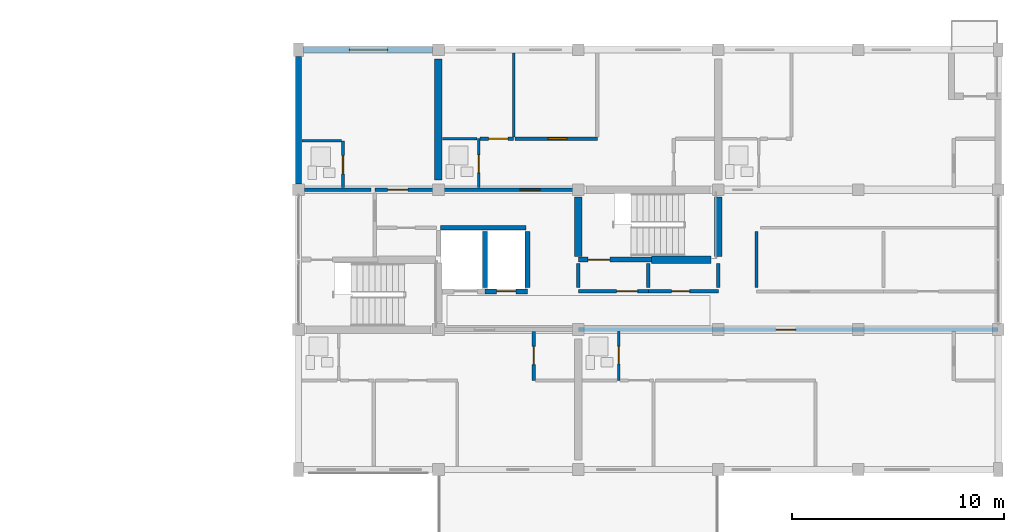
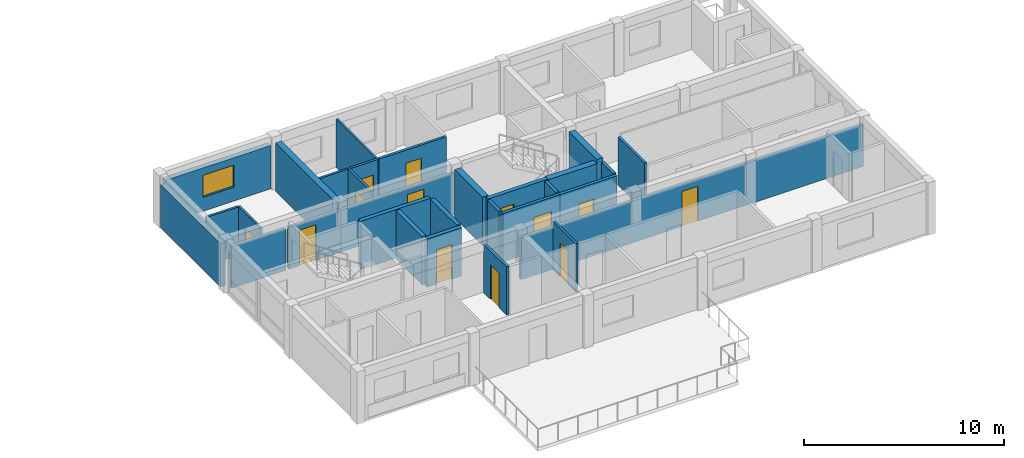
# One storey, part 38 of 51: 30 walls, 13 doors, 1 window, 14 openings.
"""IFC4 building model written with IfcOpenShell, lengths in metres."""

from ifc_helpers import new_model, si_unit, direction, frame, frame_2d, origin, place, context, subcontext, project, spatial, rectangle, extrude, material, layer, layer_set, type_object, element, fill, save


model = new_model("IFC4")

# Units and contexts
model_context = context("Model", 3, precision=1e-05, world=origin(), true_north=direction((0.0, 1.0)))
body_context = subcontext(model_context, "Body", "Model", "MODEL_VIEW")
ifc_project = project(units=[si_unit("LENGTHUNIT", "METRE"), si_unit("AREAUNIT", "SQUARE_METRE"), si_unit("VOLUMEUNIT", "CUBIC_METRE"), si_unit("PLANEANGLEUNIT", "RADIAN"), si_unit("MASSUNIT", "GRAM", prefix="KILO")], contexts=[model_context])

# Site, building, storey
site_placement = place(None, origin())
site = spatial("IfcSite", under=ifc_project, at=site_placement, CompositionType="ELEMENT")
building_placement = place(site_placement, origin())
building = spatial("IfcBuilding", under=site, at=building_placement, Name="Kernevlak Ridge Housing Community", CompositionType="ELEMENT")
storey_placement = place(building_placement, frame((0.0, 0.0, 8.39990234375)))
storey = spatial("IfcBuildingStorey", under=building, at=storey_placement, Name="L02", CompositionType="ELEMENT", Elevation=8.39990234375)

# Wall, opening, window
ifc_material_1 = material(Name="Concrete block masonry M10", Category="masonry")
ifc_layer_1 = layer(ifc_material_1, 0.300048828125, Name="Concrete block masonry M10")
ifc_layer_set_1 = layer_set([ifc_layer_1], Name="Concrete block masonry M10")
wall_type_1 = type_object("IfcWallType", Name="EW-01", PredefinedType="STANDARD", material=ifc_layer_set_1)
wall_1_placement = place(storey_placement, frame((119.625, 102.39990234375, 0.0), z_axis=(0.0, 0.0, 1.0), x_axis=(1.0, 0.0, 0.0)))
wall_1 = element("IfcWall", 1, at=wall_1_placement, inside=storey, type_object=wall_type_1, Name="Exterior wall EW-01 L02 328", PredefinedType="STANDARD", context=body_context, shape_type="SweptSolid", body=[
    extrude(rectangle(XDim=6.10009765625, YDim=0.300048828125, at=frame_2d((3.050048828125, 0.0))), origin(), (0.0, 0.0, 1.0), 2.650146484375),
])
opening_1_placement = place(wall_1_placement, frame((2.175048828125, 0.0, 0.85009765625)))
opening_1 = element("IfcOpeningElement", 2, at=opening_1_placement, cuts=wall_1, Name="Opening WT-03", PredefinedType="OPENING", context=body_context, shape_type="SweptSolid", body=[
    extrude(rectangle(XDim=1.800048828125, YDim=1.35009765625, at=frame_2d((0.89990234375, 0.675048828125))), frame((0.0, 0.159912109375, 0.0), z_axis=(0.0, -1.0, 0.0), x_axis=(1.0, 0.0, 0.0)), (0.0, 0.0, 1.0), 0.320068359375),
])
ifc_material_2 = material(Name="Aluminium EN AW-6060 anodised and laminated glass", Category="aluminium")
window_type = type_object("IfcWindowType", Name="WT-03", PartitioningType="SINGLE_PANEL", PredefinedType="WINDOW", material=ifc_material_2)
window_placement = place(opening_1_placement, origin())
window = element("IfcWindow", 3, at=window_placement, inside=storey, type_object=window_type, Name="Window WT-03 L02 253", OverallHeight=1.35009765625, OverallWidth=1.800048828125, PartitioningType="SINGLE_PANEL", PredefinedType="WINDOW", context=body_context, shape_type="SweptSolid", body=[
    extrude(rectangle(XDim=1.800048828125, YDim=1.35009765625, at=frame_2d((0.89990234375, 0.675048828125))), frame((0.0, 0.030029296875, 0.0), z_axis=(0.0, -1.0, 0.0), x_axis=(1.0, 0.0, 0.0)), (0.0, 0.0, 1.0), 0.06005859375),
])
fill(opening_1, window)

# Wall
wall_2_placement = place(storey_placement, frame((119.39990234375, 96.074951171875, 0.0), z_axis=(0.0, 0.0, 1.0), x_axis=(0.0, 1.0, 0.0)))
element("IfcWall", 4, at=wall_2_placement, inside=storey, type_object=wall_type_1, Name="Exterior wall EW-01 L02 336", PredefinedType="STANDARD", context=body_context, shape_type="SweptSolid", body=[
    extrude(rectangle(XDim=6.0, YDim=0.300048828125, at=frame_2d((3.0, 0.0))), origin(), (0.0, 0.0, 1.0), 2.650146484375),
])

# Wall, opening, door
ifc_material_3 = material(Name="Concrete C35/45", Category="concrete")
ifc_layer_2 = layer(ifc_material_3, 0.22509765625, Name="Concrete C35/45")
ifc_layer_set_2 = layer_set([ifc_layer_2], Name="Concrete C35/45")
wall_type_2 = type_object("IfcWallType", Name="PW-01", PredefinedType="STANDARD", material=ifc_layer_set_2)
wall_3_placement = place(storey_placement, frame((128.199951171875, 91.0, 0.0), z_axis=(0.0, 0.0, 1.0), x_axis=(1.0, 0.0, 0.0)))
wall_3 = element("IfcWall", 5, at=wall_3_placement, inside=storey, type_object=wall_type_2, Name="Interior wall PW-01 WAL-INT-L02-1272", PredefinedType="STANDARD", context=body_context, shape_type="SweptSolid", body=[
    extrude(rectangle(XDim=2.0, YDim=0.22509765625, at=frame_2d((1.0, 0.0))), origin(), (0.0, 0.0, 1.0), 2.960205078125),
])
opening_2_placement = place(wall_3_placement, frame((0.550048828125, 0.0, 0.0)))
opening_2 = element("IfcOpeningElement", 6, at=opening_2_placement, cuts=wall_3, Name="Opening LD35", PredefinedType="OPENING", context=body_context, shape_type="SweptSolid", body=[
    extrude(rectangle(XDim=0.89990234375, YDim=2.10009765625, at=frame_2d((0.449951171875, 1.050048828125))), frame((0.0, 0.12255859375, 0.0), z_axis=(0.0, -1.0, 0.0), x_axis=(1.0, 0.0, 0.0)), (0.0, 0.0, 1.0), 0.2451171875),
])
ifc_material_4 = material(Name="Stainless steel EN 1.4401", Category="steel")
door_type_1 = type_object("IfcDoorType", Name="DT-LD2", OperationType="DOUBLE_DOOR_SLIDING", PredefinedType="DOOR", material=ifc_material_4)
door_1_placement = place(opening_2_placement, origin())
door_1 = element("IfcDoor", 7, at=door_1_placement, inside=storey, type_object=door_type_1, Name="Lift LF-B2 landing door LD35", OperationType="DOUBLE_DOOR_SLIDING", OverallHeight=2.10009765625, OverallWidth=0.89990234375, PredefinedType="DOOR", context=body_context, shape_type="SweptSolid", body=[
    extrude(rectangle(XDim=0.89990234375, YDim=2.10009765625, at=frame_2d((0.449951171875, 1.050048828125))), frame((0.0, 0.02490234375, 0.0), z_axis=(0.0, -1.0, 0.0), x_axis=(1.0, 0.0, 0.0)), (0.0, 0.0, 1.0), 0.050048828125),
])
fill(opening_2, door_1)

# Walls
wall_4_placement = place(storey_placement, frame((126.097412109375, 94.0, 0.0), z_axis=(0.0, 0.0, 1.0), x_axis=(1.0, 0.0, 0.0)))
element("IfcWall", 8, at=wall_4_placement, inside=storey, type_object=wall_type_2, Name="Interior wall PW-01 WAL-INT-L02-1273", PredefinedType="STANDARD", context=body_context, shape_type="SweptSolid", body=[
    extrude(rectangle(XDim=4.022705078125, YDim=0.22509765625, at=frame_2d((2.01123046875, 0.0))), origin(), (0.0, 0.0, 1.0), 2.960205078125),
])
for number, where, z_axis, x_axis, name in (
    (9, (128.199951171875, 91.179931640625, 0.0), (0.0, 0.0, 1.0), (0.0, 1.0, 0.0), "Interior wall PW-01 WAL-INT-L02-1275"),
    (10, (130.199951171875, 91.179931640625, 0.0), (0.0, 0.0, 1.0), (0.0, 1.0, 0.0), "Interior wall PW-01 WAL-INT-L02-1276"),
):
    element("IfcWall", number, at=place(storey_placement, frame(where, z_axis=z_axis, x_axis=x_axis)), inside=storey, type_object=wall_type_2, Name=name, PredefinedType="STANDARD", context=body_context, shape_type="SweptSolid", body=[
        extrude(rectangle(XDim=2.64013671875, YDim=0.22509765625, at=frame_2d((1.320068359375, 0.0))), origin(), (0.0, 0.0, 1.0), 2.960205078125),
    ])

# Wall, opening, door
wall_5_placement = place(storey_placement, frame((132.60009765625, 92.5, 0.0), z_axis=(0.0, 0.0, 1.0), x_axis=(1.0, 0.0, 0.0)))
wall_5 = element("IfcWall", 11, at=wall_5_placement, inside=storey, type_object=wall_type_2, Name="Interior wall PW-01 WAL-INT-L02-1277", PredefinedType="STANDARD", context=body_context, shape_type="SweptSolid", body=[
    extrude(rectangle(XDim=3.449951171875, YDim=0.22509765625, at=frame_2d((1.72509765625, 0.0))), origin(), (0.0, 0.0, 1.0), 2.960205078125),
])
opening_3_placement = place(wall_5_placement, frame((0.449951171875, 0.0, 0.0)))
opening_3 = element("IfcOpeningElement", 12, at=opening_3_placement, cuts=wall_5, Name="Opening D644", PredefinedType="OPENING", context=body_context, shape_type="SweptSolid", body=[
    extrude(rectangle(XDim=1.0400390625, YDim=2.1201171875, at=frame_2d((0.52001953125, 1.06005859375))), frame((0.0, 0.12255859375, 0.0), z_axis=(0.0, -1.0, 0.0), x_axis=(1.0, 0.0, 0.0)), (0.0, 0.0, 1.0), 0.2451171875),
])
ifc_material_5 = material(Name="Fire-rated sheet steel leaf", Category="steel")
door_type_2 = type_object("IfcDoorType", Name="DT-16", OperationType="NOTDEFINED", PredefinedType="DOOR", material=ifc_material_5)
door_2_placement = place(opening_3_placement, origin())
door_2 = element("IfcDoor", 13, at=door_2_placement, inside=storey, type_object=door_type_2, Name="Block B Stair 2 fire door D644", OperationType="SINGLE_SWING_RIGHT", OverallHeight=2.1201171875, OverallWidth=1.0400390625, PredefinedType="DOOR", context=body_context, shape_type="SweptSolid", body=[
    extrude(rectangle(XDim=1.0400390625, YDim=2.1201171875, at=frame_2d((0.52001953125, 1.06005859375))), frame((0.0, 0.02490234375, 0.0), z_axis=(0.0, -1.0, 0.0), x_axis=(1.0, 0.0, 0.0)), (0.0, 0.0, 1.0), 0.050048828125),
])
fill(opening_3, door_2)

ifc_layer_3 = layer(ifc_material_1, 0.175048828125, Name="Concrete block masonry M10")
ifc_layer_set_3 = layer_set([ifc_layer_3], Name="Concrete block masonry M10")
wall_type_3 = type_object("IfcWallType", Name="PW-02", PredefinedType="PARTITIONING", material=ifc_layer_set_3)
wall_6_placement = place(storey_placement, frame((132.60009765625, 91.0, 0.0), z_axis=(0.0, 0.0, 1.0), x_axis=(1.0, 0.0, 0.0)))
wall_6 = element("IfcWall", 14, at=wall_6_placement, inside=storey, type_object=wall_type_3, Name="Interior wall PW-02 WAL-INT-L02-1278", PredefinedType="PARTITIONING", context=body_context, shape_type="SweptSolid", body=[
    extrude(rectangle(XDim=3.2998046875, YDim=0.175048828125, at=frame_2d((1.64990234375, 0.0))), origin(), (0.0, 0.0, 1.0), 2.960205078125),
])
opening_4_placement = place(wall_6_placement, frame((1.800048828125, 0.0, 0.0)))
opening_4 = element("IfcOpeningElement", 15, at=opening_4_placement, cuts=wall_6, Name="Opening D645", PredefinedType="OPENING", context=body_context, shape_type="SweptSolid", body=[
    extrude(rectangle(XDim=1.0, YDim=2.10009765625, at=frame_2d((0.5, 1.050048828125))), frame((0.0, 0.097412109375, 0.0), z_axis=(0.0, -1.0, 0.0), x_axis=(1.0, 0.0, 0.0)), (0.0, 0.0, 1.0), 0.195068359375),
])
door_type_3 = type_object("IfcDoorType", Name="DT-05", OperationType="NOTDEFINED", PredefinedType="DOOR", material=ifc_material_5)
door_3_placement = place(opening_4_placement, origin())
door_3 = element("IfcDoor", 16, at=door_3_placement, inside=storey, type_object=door_type_3, Name="Block B Firefighting lobby 2 door D645", OperationType="SINGLE_SWING_LEFT", OverallHeight=2.10009765625, OverallWidth=1.0, PredefinedType="DOOR", context=body_context, shape_type="SweptSolid", body=[
    extrude(rectangle(XDim=1.0, YDim=2.10009765625, at=frame_2d((0.5, 1.050048828125))), frame((0.0, 0.02490234375, 0.0), z_axis=(0.0, -1.0, 0.0), x_axis=(1.0, 0.0, 0.0)), (0.0, 0.0, 1.0), 0.050048828125),
])
fill(opening_4, door_3)

wall_7_placement = place(storey_placement, frame((135.89990234375, 91.0, 0.0), z_axis=(0.0, 0.0, 1.0), x_axis=(1.0, 0.0, 0.0)))
wall_7 = element("IfcWall", 17, at=wall_7_placement, inside=storey, type_object=wall_type_3, Name="Interior wall PW-02 WAL-INT-L02-1279", PredefinedType="PARTITIONING", context=body_context, shape_type="SweptSolid", body=[
    extrude(rectangle(XDim=3.300048828125, YDim=0.175048828125, at=frame_2d((1.64990234375, 0.0))), origin(), (0.0, 0.0, 1.0), 2.960205078125),
])
opening_5_placement = place(wall_7_placement, frame((1.10009765625, 0.0, 0.0)))
opening_5 = element("IfcOpeningElement", 18, at=opening_5_placement, cuts=wall_7, Name="Opening D646", PredefinedType="OPENING", context=body_context, shape_type="SweptSolid", body=[
    extrude(rectangle(XDim=0.85009765625, YDim=2.0, at=frame_2d((0.425048828125, 1.0))), frame((0.0, 0.097412109375, 0.0), z_axis=(0.0, -1.0, 0.0), x_axis=(1.0, 0.0, 0.0)), (0.0, 0.0, 1.0), 0.195068359375),
])
door_type_4 = type_object("IfcDoorType", Name="DT-07", OperationType="NOTDEFINED", PredefinedType="DOOR", material=ifc_material_5)
door_4_placement = place(opening_5_placement, origin())
door_4 = element("IfcDoor", 19, at=door_4_placement, inside=storey, type_object=door_type_4, Name="Block B Cleaner store door D646", OperationType="SINGLE_SWING_RIGHT", OverallHeight=2.0, OverallWidth=0.85009765625, PredefinedType="DOOR", context=body_context, shape_type="SweptSolid", body=[
    extrude(rectangle(XDim=0.85009765625, YDim=2.0, at=frame_2d((0.425048828125, 1.0))), frame((0.0, 0.02490234375, 0.0), z_axis=(0.0, -1.0, 0.0), x_axis=(1.0, 0.0, 0.0)), (0.0, 0.0, 1.0), 0.050048828125),
])
fill(opening_5, door_4)

# Walls
for number, where, z_axis, x_axis, name in (
    (20, (132.60009765625, 91.179931640625, 0.0), (0.0, 0.0, 1.0), (0.0, 1.0, 0.0), "Interior wall PW-02 WAL-INT-L02-1280"),
    (21, (135.89990234375, 91.179931640625, 0.0), (0.0, 0.0, 1.0), (0.0, 1.0, 0.0), "Interior wall PW-02 WAL-INT-L02-1281"),
    (22, (139.199951171875, 91.179931640625, 0.0), (0.0, 0.0, 1.0), (0.0, 1.0, 0.0), "Interior wall PW-02 WAL-INT-L02-1282"),
):
    element("IfcWall", number, at=place(storey_placement, frame(where, z_axis=z_axis, x_axis=x_axis)), inside=storey, type_object=wall_type_3, Name=name, PredefinedType="PARTITIONING", context=body_context, shape_type="SweptSolid", body=[
        extrude(rectangle(XDim=1.14013671875, YDim=0.175048828125, at=frame_2d((0.570068359375, 0.0))), origin(), (0.0, 0.0, 1.0), 2.960205078125),
    ])

# Wall, opening, door
wall_8_placement = place(storey_placement, frame((132.60009765625, 89.199951171875, 0.0), z_axis=(0.0, 0.0, 1.0), x_axis=(1.0, 0.0, 0.0)))
wall_8 = element("IfcWall", 23, at=wall_8_placement, inside=storey, type_object=wall_type_3, Name="Interior wall PW-02 WAL-INT-L02-1297", PredefinedType="PARTITIONING", context=body_context, shape_type="SweptSolid", body=[
    extrude(rectangle(XDim=19.7998046875, YDim=0.175048828125, at=frame_2d((9.89990234375, 0.0))), origin(), (0.0, 0.0, 1.0), 2.550048828125),
])
opening_6_placement = place(wall_8_placement, frame((9.324951171875, 0.0, 0.0)))
opening_6 = element("IfcOpeningElement", 24, at=opening_6_placement, cuts=wall_8, Name="Opening D655", PredefinedType="OPENING", context=body_context, shape_type="SweptSolid", body=[
    extrude(rectangle(XDim=0.919921875, YDim=2.139892578125, at=frame_2d((0.4599609375, 1.06982421875))), frame((0.0, 0.097412109375, 0.0), z_axis=(0.0, -1.0, 0.0), x_axis=(1.0, 0.0, 0.0)), (0.0, 0.0, 1.0), 0.195068359375),
])
ifc_material_6 = material(Name="Hardwood timber solid-core fire leaf", Category="wood")
door_type_5 = type_object("IfcDoorType", Name="DT-20", OperationType="NOTDEFINED", PredefinedType="DOOR", material=ifc_material_6)
door_5_placement = place(opening_6_placement, origin())
door_5 = element("IfcDoor", 25, at=door_5_placement, inside=storey, type_object=door_type_5, Name="Flat B0212 entrance fire door D655", OperationType="SINGLE_SWING_LEFT", OverallHeight=2.139892578125, OverallWidth=0.919921875, PredefinedType="DOOR", context=body_context, shape_type="SweptSolid", body=[
    extrude(rectangle(XDim=0.919921875, YDim=2.139892578125, at=frame_2d((0.4599609375, 1.06982421875))), frame((0.0, 0.02490234375, 0.0), z_axis=(0.0, -1.0, 0.0), x_axis=(1.0, 0.0, 0.0)), (0.0, 0.0, 1.0), 0.050048828125),
])
fill(opening_6, door_5)

# Wall
wall_9_placement = place(storey_placement, frame((119.679931640625, 95.800048828125, 0.0), z_axis=(0.0, 0.0, 1.0), x_axis=(1.0, 0.0, 0.0)))
element("IfcWall", 26, at=wall_9_placement, inside=storey, type_object=wall_type_3, Name="Interior wall PW-02 WAL-INT-L02-1306", PredefinedType="PARTITIONING", context=body_context, shape_type="SweptSolid", body=[
    extrude(rectangle(XDim=3.14013671875, YDim=0.175048828125, at=frame_2d((1.570068359375, 0.0))), origin(), (0.0, 0.0, 1.0), 2.550048828125),
])

# Wall, opening, door
wall_10_placement = place(storey_placement, frame((123.0, 95.800048828125, 0.0), z_axis=(0.0, 0.0, 1.0), x_axis=(1.0, 0.0, 0.0)))
wall_10 = element("IfcWall", 27, at=wall_10_placement, inside=storey, type_object=wall_type_3, Name="Interior wall PW-02 WAL-INT-L02-1307", PredefinedType="PARTITIONING", context=body_context, shape_type="SweptSolid", body=[
    extrude(rectangle(XDim=3.0, YDim=0.175048828125, at=frame_2d((1.5, 0.0))), origin(), (0.0, 0.0, 1.0), 2.550048828125),
])
opening_7_placement = place(wall_10_placement, frame((0.60009765625, 0.0, 0.0)))
opening_7 = element("IfcOpeningElement", 28, at=opening_7_placement, cuts=wall_10, Name="Opening D660", PredefinedType="OPENING", context=body_context, shape_type="SweptSolid", body=[
    extrude(rectangle(XDim=0.9599609375, YDim=2.179931640625, at=frame_2d((0.47998046875, 1.08984375))), frame((0.0, 0.097412109375, 0.0), z_axis=(0.0, -1.0, 0.0), x_axis=(1.0, 0.0, 0.0)), (0.0, 0.0, 1.0), 0.195068359375),
])
door_type_6 = type_object("IfcDoorType", Name="DT-29", OperationType="NOTDEFINED", PredefinedType="DOOR", material=ifc_material_6)
door_6_placement = place(opening_7_placement, origin())
door_6 = element("IfcDoor", 29, at=door_6_placement, inside=storey, type_object=door_type_6, Name="Flat B0221 entrance fire door D660", OperationType="SINGLE_SWING_RIGHT", OverallHeight=2.179931640625, OverallWidth=0.9599609375, PredefinedType="DOOR", context=body_context, shape_type="SweptSolid", body=[
    extrude(rectangle(XDim=0.9599609375, YDim=2.179931640625, at=frame_2d((0.47998046875, 1.08984375))), frame((0.0, 0.02490234375, 0.0), z_axis=(0.0, -1.0, 0.0), x_axis=(1.0, 0.0, 0.0)), (0.0, 0.0, 1.0), 0.050048828125),
])
fill(opening_7, door_6)

wall_11_placement = place(storey_placement, frame((126.0, 95.800048828125, 0.0), z_axis=(0.0, 0.0, 1.0), x_axis=(1.0, 0.0, 0.0)))
wall_11 = element("IfcWall", 30, at=wall_11_placement, inside=storey, type_object=wall_type_3, Name="Interior wall PW-02 WAL-INT-L02-1310", PredefinedType="PARTITIONING", context=body_context, shape_type="SweptSolid", body=[
    extrude(rectangle(XDim=6.60009765625, YDim=0.175048828125, at=frame_2d((3.300048828125, 0.0))), origin(), (0.0, 0.0, 1.0), 2.550048828125),
])
opening_8_placement = place(wall_11_placement, frame((3.85009765625, 0.0, 0.0)))
opening_8 = element("IfcOpeningElement", 31, at=opening_8_placement, cuts=wall_11, Name="Opening D662", PredefinedType="OPENING", context=body_context, shape_type="SweptSolid", body=[
    extrude(rectangle(XDim=0.949951171875, YDim=2.159912109375, at=frame_2d((0.47509765625, 1.080078125))), frame((0.0, 0.097412109375, 0.0), z_axis=(0.0, -1.0, 0.0), x_axis=(1.0, 0.0, 0.0)), (0.0, 0.0, 1.0), 0.195068359375),
])
door_type_7 = type_object("IfcDoorType", Name="DT-02", OperationType="NOTDEFINED", PredefinedType="DOOR", material=ifc_material_6)
door_7_placement = place(opening_8_placement, origin())
door_7 = element("IfcDoor", 32, at=door_7_placement, inside=storey, type_object=door_type_7, Name="Flat B0222 entrance fire door D662", OperationType="SINGLE_SWING_RIGHT", OverallHeight=2.159912109375, OverallWidth=0.949951171875, PredefinedType="DOOR", context=body_context, shape_type="SweptSolid", body=[
    extrude(rectangle(XDim=0.949951171875, YDim=2.159912109375, at=frame_2d((0.47509765625, 1.080078125))), frame((0.0, 0.02490234375, 0.0), z_axis=(0.0, -1.0, 0.0), x_axis=(1.0, 0.0, 0.0)), (0.0, 0.0, 1.0), 0.050048828125),
])
fill(opening_8, door_7)

# Wall
ifc_layer_4 = layer(ifc_material_1, 0.14501953125, Name="Concrete block masonry M10")
ifc_layer_set_4 = layer_set([ifc_layer_4], Name="Concrete block masonry M10")
wall_type_4 = type_object("IfcWallType", Name="PW-03", PredefinedType="PARTITIONING", material=ifc_layer_set_4)
wall_12_placement = place(storey_placement, frame((141.0, 91.179931640625, 0.0), z_axis=(0.0, 0.0, 1.0), x_axis=(0.0, 1.0, 0.0)))
element("IfcWall", 33, at=wall_12_placement, inside=storey, type_object=wall_type_4, Name="Interior wall PW-03 WAL-INT-L02-1287", PredefinedType="PARTITIONING", context=body_context, shape_type="SweptSolid", body=[
    extrude(rectangle(XDim=2.64013671875, YDim=0.14501953125, at=frame_2d((1.320068359375, 0.0))), origin(), (0.0, 0.0, 1.0), 2.960205078125),
])

# Wall, opening, door
wall_13_placement = place(storey_placement, frame((127.972412109375, 98.199951171875, 0.0), z_axis=(0.0, 0.0, 1.0), x_axis=(1.0, 0.0, 0.0)))
wall_13 = element("IfcWall", 34, at=wall_13_placement, inside=storey, type_object=wall_type_4, Name="Interior wall PW-03 WAL-INT-L02-1315", PredefinedType="PARTITIONING", context=body_context, shape_type="SweptSolid", body=[
    extrude(rectangle(XDim=1.57763671875, YDim=0.14501953125, at=frame_2d((0.788818359375, 0.0))), origin(), (0.0, 0.0, 1.0), 2.960205078125),
])
opening_9_placement = place(wall_13_placement, frame((0.39990234375, 0.0, 0.0)))
opening_9 = element("IfcOpeningElement", 35, at=opening_9_placement, cuts=wall_13, Name="Opening D665", PredefinedType="OPENING", context=body_context, shape_type="SweptSolid", body=[
    extrude(rectangle(XDim=0.89990234375, YDim=2.10009765625, at=frame_2d((0.449951171875, 1.050048828125))), frame((0.0, 0.08251953125, 0.0), z_axis=(0.0, -1.0, 0.0), x_axis=(1.0, 0.0, 0.0)), (0.0, 0.0, 1.0), 0.1650390625),
])
ifc_material_7 = material(Name="Hardwood timber leaf", Category="wood")
door_type_8 = type_object("IfcDoorType", Name="DT-21", OperationType="NOTDEFINED", PredefinedType="DOOR", material=ifc_material_7)
door_8_placement = place(opening_9_placement, origin())
door_8 = element("IfcDoor", 36, at=door_8_placement, inside=storey, type_object=door_type_8, Name="Flat B0222 bedroom door D665", OperationType="SINGLE_SWING_LEFT", OverallHeight=2.10009765625, OverallWidth=0.89990234375, PredefinedType="DOOR", context=body_context, shape_type="SweptSolid", body=[
    extrude(rectangle(XDim=0.89990234375, YDim=2.10009765625, at=frame_2d((0.449951171875, 1.050048828125))), frame((0.0, 0.02490234375, 0.0), z_axis=(0.0, -1.0, 0.0), x_axis=(1.0, 0.0, 0.0)), (0.0, 0.0, 1.0), 0.050048828125),
])
fill(opening_9, door_8)

wall_14_placement = place(storey_placement, frame((129.612548828125, 98.199951171875, 0.0), z_axis=(0.0, 0.0, 1.0), x_axis=(1.0, 0.0, 0.0)))
wall_14 = element("IfcWall", 37, at=wall_14_placement, inside=storey, type_object=wall_type_4, Name="Interior wall PW-03 WAL-INT-L02-1317", PredefinedType="PARTITIONING", context=body_context, shape_type="SweptSolid", body=[
    extrude(rectangle(XDim=3.87939453125, YDim=0.14501953125, at=frame_2d((1.939697265625, 0.0))), origin(), (0.0, 0.0, 1.0), 2.960205078125),
])
opening_10_placement = place(wall_14_placement, frame((1.5458984375, 0.0, 0.0)))
opening_10 = element("IfcOpeningElement", 38, at=opening_10_placement, cuts=wall_14, Name="Opening D666", PredefinedType="OPENING", context=body_context, shape_type="SweptSolid", body=[
    extrude(rectangle(XDim=0.89990234375, YDim=2.159912109375, at=frame_2d((0.449951171875, 1.080078125))), frame((0.0, 0.08251953125, 0.0), z_axis=(0.0, -1.0, 0.0), x_axis=(1.0, 0.0, 0.0)), (0.0, 0.0, 1.0), 0.1650390625),
])
door_type_9 = type_object("IfcDoorType", Name="DT-22", OperationType="NOTDEFINED", PredefinedType="DOOR", material=ifc_material_7)
door_9_placement = place(opening_10_placement, origin())
door_9 = element("IfcDoor", 39, at=door_9_placement, inside=storey, type_object=door_type_9, Name="Flat B0222 bedroom door D666", OperationType="SINGLE_SWING_RIGHT", OverallHeight=2.159912109375, OverallWidth=0.89990234375, PredefinedType="DOOR", context=body_context, shape_type="SweptSolid", body=[
    extrude(rectangle(XDim=0.89990234375, YDim=2.159912109375, at=frame_2d((0.449951171875, 1.080078125))), frame((0.0, 0.02490234375, 0.0), z_axis=(0.0, -1.0, 0.0), x_axis=(1.0, 0.0, 0.0)), (0.0, 0.0, 1.0), 0.050048828125),
])
fill(opening_10, door_9)

ifc_material_8 = material(Name="Gypsum plasterboard EN 520", Category="gypsum")
ifc_layer_5 = layer(ifc_material_8, 0.125, Name="Gypsum plasterboard EN 520")
ifc_layer_set_5 = layer_set([ifc_layer_5], Name="Gypsum plasterboard EN 520")
wall_type_5 = type_object("IfcWallType", Name="PW-04", PredefinedType="PARTITIONING", material=ifc_layer_set_5)
wall_15_placement = place(storey_placement, frame((134.5, 89.1025390625, 0.0), z_axis=(0.0, 0.0, 1.0), x_axis=(0.0, -1.0, 0.0)))
wall_15 = element("IfcWall", 40, at=wall_15_placement, inside=storey, type_object=wall_type_5, Name="Interior wall PW-04 WAL-INT-L02-1298", PredefinedType="PARTITIONING", context=body_context, shape_type="SweptSolid", body=[
    extrude(rectangle(XDim=2.302490234375, YDim=0.125, at=frame_2d((1.1513671875, 0.0))), origin(), (0.0, 0.0, 1.0), 2.960205078125),
])
opening_11_placement = place(wall_15_placement, frame((0.699951171875, 0.0, 0.0)))
opening_11 = element("IfcOpeningElement", 41, at=opening_11_placement, cuts=wall_15, Name="Opening D656", PredefinedType="OPENING", context=body_context, shape_type="SweptSolid", body=[
    extrude(rectangle(XDim=0.820068359375, YDim=2.050048828125, at=frame_2d((0.41015625, 1.02490234375))), frame((0.0, 0.072509765625, 0.0), z_axis=(0.0, -1.0, 0.0), x_axis=(1.0, 0.0, 0.0)), (0.0, 0.0, 1.0), 0.14501953125),
])
ifc_material_9 = material(Name="Hardwood timber moisture-resistant leaf", Category="wood")
door_type_10 = type_object("IfcDoorType", Name="DT-30", OperationType="NOTDEFINED", PredefinedType="DOOR", material=ifc_material_9)
door_10_placement = place(opening_11_placement, origin())
door_10 = element("IfcDoor", 42, at=door_10_placement, inside=storey, type_object=door_type_10, Name="Flat B0212 bathroom door D656", OperationType="SINGLE_SWING_RIGHT", OverallHeight=2.050048828125, OverallWidth=0.820068359375, PredefinedType="DOOR", context=body_context, shape_type="SweptSolid", body=[
    extrude(rectangle(XDim=0.820068359375, YDim=2.050048828125, at=frame_2d((0.41015625, 1.02490234375))), frame((0.0, 0.02490234375, 0.0), z_axis=(0.0, -1.0, 0.0), x_axis=(1.0, 0.0, 0.0)), (0.0, 0.0, 1.0), 0.050048828125),
])
fill(opening_11, door_10)

wall_16_placement = place(storey_placement, frame((121.5, 95.8974609375, 0.0), z_axis=(0.0, 0.0, 1.0), x_axis=(0.0, 1.0, 0.0)))
wall_16 = element("IfcWall", 43, at=wall_16_placement, inside=storey, type_object=wall_type_5, Name="Interior wall PW-04 WAL-INT-L02-1308", PredefinedType="PARTITIONING", context=body_context, shape_type="SweptSolid", body=[
    extrude(rectangle(XDim=2.20263671875, YDim=0.125, at=frame_2d((1.101318359375, 0.0))), origin(), (0.0, 0.0, 1.0), 2.960205078125),
])
opening_12_placement = place(wall_16_placement, frame((0.64990234375, 0.0, 0.0)))
opening_12 = element("IfcOpeningElement", 44, at=opening_12_placement, cuts=wall_16, Name="Opening D661", PredefinedType="OPENING", context=body_context, shape_type="SweptSolid", body=[
    extrude(rectangle(XDim=0.85009765625, YDim=2.0400390625, at=frame_2d((0.425048828125, 1.02001953125))), frame((0.0, 0.072509765625, 0.0), z_axis=(0.0, -1.0, 0.0), x_axis=(1.0, 0.0, 0.0)), (0.0, 0.0, 1.0), 0.14501953125),
])
door_type_11 = type_object("IfcDoorType", Name="DT-04", OperationType="NOTDEFINED", PredefinedType="DOOR", material=ifc_material_9)
door_11_placement = place(opening_12_placement, origin())
door_11 = element("IfcDoor", 45, at=door_11_placement, inside=storey, type_object=door_type_11, Name="Flat B0221 bathroom door D661", OperationType="SINGLE_SWING_LEFT", OverallHeight=2.0400390625, OverallWidth=0.85009765625, PredefinedType="DOOR", context=body_context, shape_type="SweptSolid", body=[
    extrude(rectangle(XDim=0.85009765625, YDim=2.0400390625, at=frame_2d((0.425048828125, 1.02001953125))), frame((0.0, 0.02490234375, 0.0), z_axis=(0.0, -1.0, 0.0), x_axis=(1.0, 0.0, 0.0)), (0.0, 0.0, 1.0), 0.050048828125),
])
fill(opening_12, door_11)

# Wall
wall_17_placement = place(storey_placement, frame((119.56005859375, 98.10009765625, 0.0), z_axis=(0.0, 0.0, 1.0), x_axis=(1.0, 0.0, 0.0)))
element("IfcWall", 46, at=wall_17_placement, inside=storey, type_object=wall_type_5, Name="Interior wall PW-04 WAL-INT-L02-1309", PredefinedType="PARTITIONING", context=body_context, shape_type="SweptSolid", body=[
    extrude(rectangle(XDim=1.85986328125, YDim=0.125, at=frame_2d((0.929931640625, 0.0))), origin(), (0.0, 0.0, 1.0), 2.960205078125),
])

# Wall, opening, door
wall_18_placement = place(storey_placement, frame((127.89990234375, 95.8974609375, 0.0), z_axis=(0.0, 0.0, 1.0), x_axis=(0.0, 1.0, 0.0)))
wall_18 = element("IfcWall", 47, at=wall_18_placement, inside=storey, type_object=wall_type_5, Name="Interior wall PW-04 WAL-INT-L02-1311", PredefinedType="PARTITIONING", context=body_context, shape_type="SweptSolid", body=[
    extrude(rectangle(XDim=2.302490234375, YDim=0.125, at=frame_2d((1.1513671875, 0.0))), origin(), (0.0, 0.0, 1.0), 2.960205078125),
])
opening_13_placement = place(wall_18_placement, frame((0.699951171875, 0.0, 0.0)))
opening_13 = element("IfcOpeningElement", 48, at=opening_13_placement, cuts=wall_18, Name="Opening D663", PredefinedType="OPENING", context=body_context, shape_type="SweptSolid", body=[
    extrude(rectangle(XDim=0.840087890625, YDim=2.06005859375, at=frame_2d((0.419921875, 1.030029296875))), frame((0.0, 0.072509765625, 0.0), z_axis=(0.0, -1.0, 0.0), x_axis=(1.0, 0.0, 0.0)), (0.0, 0.0, 1.0), 0.14501953125),
])
door_type_12 = type_object("IfcDoorType", Name="DT-27", OperationType="NOTDEFINED", PredefinedType="DOOR", material=ifc_material_9)
door_12_placement = place(opening_13_placement, origin())
door_12 = element("IfcDoor", 49, at=door_12_placement, inside=storey, type_object=door_type_12, Name="Flat B0222 bathroom door D663", OperationType="SINGLE_SWING_LEFT", OverallHeight=2.06005859375, OverallWidth=0.840087890625, PredefinedType="DOOR", context=body_context, shape_type="SweptSolid", body=[
    extrude(rectangle(XDim=0.840087890625, YDim=2.06005859375, at=frame_2d((0.419921875, 1.030029296875))), frame((0.0, 0.02490234375, 0.0), z_axis=(0.0, -1.0, 0.0), x_axis=(1.0, 0.0, 0.0)), (0.0, 0.0, 1.0), 0.050048828125),
])
fill(opening_13, door_12)

# Wall
wall_19_placement = place(storey_placement, frame((126.18505859375, 98.199951171875, 0.0), z_axis=(0.0, 0.0, 1.0), x_axis=(1.0, 0.0, 0.0)))
element("IfcWall", 50, at=wall_19_placement, inside=storey, type_object=wall_type_5, Name="Interior wall PW-04 WAL-INT-L02-1312", PredefinedType="PARTITIONING", context=body_context, shape_type="SweptSolid", body=[
    extrude(rectangle(XDim=1.635009765625, YDim=0.125, at=frame_2d((0.8173828125, 0.0))), origin(), (0.0, 0.0, 1.0), 2.960205078125),
])

# Wall, opening, door
ifc_layer_6 = layer(ifc_material_8, 0.155029296875, Name="Gypsum plasterboard EN 520")
ifc_layer_set_6 = layer_set([ifc_layer_6], Name="Gypsum plasterboard EN 520")
wall_type_6 = type_object("IfcWallType", Name="PW-05", PredefinedType="PARTITIONING", material=ifc_layer_set_6)
wall_20_placement = place(storey_placement, frame((130.5, 89.1025390625, 0.0), z_axis=(0.0, 0.0, 1.0), x_axis=(0.0, -1.0, 0.0)))
wall_20 = element("IfcWall", 51, at=wall_20_placement, inside=storey, type_object=wall_type_6, Name="Interior wall PW-05 WAL-INT-L02-1291", PredefinedType="PARTITIONING", context=body_context, shape_type="SweptSolid", body=[
    extrude(rectangle(XDim=2.302490234375, YDim=0.155029296875, at=frame_2d((1.1513671875, 0.0))), origin(), (0.0, 0.0, 1.0), 2.960205078125),
])
opening_14_placement = place(wall_20_placement, frame((0.699951171875, 0.0, 0.0)))
opening_14 = element("IfcOpeningElement", 52, at=opening_14_placement, cuts=wall_20, Name="Opening D651", PredefinedType="OPENING", context=body_context, shape_type="SweptSolid", body=[
    extrude(rectangle(XDim=0.860107421875, YDim=2.1201171875, at=frame_2d((0.43017578125, 1.06005859375))), frame((0.0, 0.08740234375, 0.0), z_axis=(0.0, -1.0, 0.0), x_axis=(1.0, 0.0, 0.0)), (0.0, 0.0, 1.0), 0.175048828125),
])
door_type_13 = type_object("IfcDoorType", Name="DT-28", OperationType="NOTDEFINED", PredefinedType="DOOR", material=ifc_material_7)
door_13_placement = place(opening_14_placement, origin())
door_13 = element("IfcDoor", 53, at=door_13_placement, inside=storey, type_object=door_type_13, Name="Flat B0211 kitchen door D651", OperationType="SINGLE_SWING_LEFT", OverallHeight=2.1201171875, OverallWidth=0.860107421875, PredefinedType="DOOR", context=body_context, shape_type="SweptSolid", body=[
    extrude(rectangle(XDim=0.860107421875, YDim=2.1201171875, at=frame_2d((0.43017578125, 1.06005859375))), frame((0.0, 0.02490234375, 0.0), z_axis=(0.0, -1.0, 0.0), x_axis=(1.0, 0.0, 0.0)), (0.0, 0.0, 1.0), 0.050048828125),
])
fill(opening_14, door_13)

# Walls
ifc_layer_7 = layer(ifc_material_8, 0.10498046875, Name="Gypsum plasterboard EN 520")
ifc_layer_set_7 = layer_set([ifc_layer_7], Name="Gypsum plasterboard EN 520")
wall_type_7 = type_object("IfcWallType", Name="PW-06", PredefinedType="PARTITIONING", material=ifc_layer_set_7)
wall_21_placement = place(storey_placement, frame((129.550048828125, 98.282470703125, 0.0), z_axis=(0.0, 0.0, 1.0), x_axis=(0.0, 1.0, 0.0)))
element("IfcWall", 54, at=wall_21_placement, inside=storey, type_object=wall_type_7, Name="Interior wall PW-06 WAL-INT-L02-1316", PredefinedType="PARTITIONING", context=body_context, shape_type="SweptSolid", body=[
    extrude(rectangle(XDim=3.95751953125, YDim=0.10498046875, at=frame_2d((1.978759765625, 0.0))), origin(), (0.0, 0.0, 1.0), 2.960205078125),
])
ifc_material_10 = material(Name="Concrete C40/50", Category="concrete")
ifc_layer_8 = layer(ifc_material_10, 0.35009765625, Name="Concrete C40/50")
ifc_layer_set_8 = layer_set([ifc_layer_8], Name="Concrete C40/50")
wall_type_8 = type_object("IfcWallType", Name="SW-01", PredefinedType="SHEAR", material=ifc_layer_set_8)
for number, where, z_axis, x_axis, name in (
    (55, (136.050048828125, 92.5, 0.0), (0.0, 0.0, 1.0), (1.0, 0.0, 0.0), "Shear wall SW-01 Block B L02 235"),
    (56, (132.60009765625, 92.64990234375, 0.0), (0.0, 0.0, 1.0), (0.0, 1.0, 0.0), "Shear wall SW-01 Block B L02 236"),
    (57, (139.199951171875, 92.64990234375, 0.0), (0.0, 0.0, 1.0), (0.0, 1.0, 0.0), "Shear wall SW-01 Block B L02 237"),
):
    element("IfcWall", number, at=place(storey_placement, frame(where, z_axis=z_axis, x_axis=x_axis)), inside=storey, type_object=wall_type_8, Name=name, PredefinedType="SHEAR", context=body_context, shape_type="SweptSolid", body=[
        extrude(rectangle(XDim=2.800048828125, YDim=0.35009765625, at=frame_2d((1.39990234375, 0.0))), origin(), (0.0, 0.0, 1.0), 2.960205078125),
    ])
wall_22_placement = place(storey_placement, frame((126.0, 96.25, 0.0), z_axis=(0.0, 0.0, 1.0), x_axis=(0.0, 1.0, 0.0)))
element("IfcWall", 58, at=wall_22_placement, inside=storey, type_object=wall_type_8, Name="Shear wall SW-01 Block B L02 239", PredefinedType="SHEAR", context=body_context, shape_type="SweptSolid", body=[
    extrude(rectangle(XDim=5.699951171875, YDim=0.35009765625, at=frame_2d((2.85009765625, 0.0))), origin(), (0.0, 0.0, 1.0), 2.960205078125),
])

save(model, "model.ifc")
